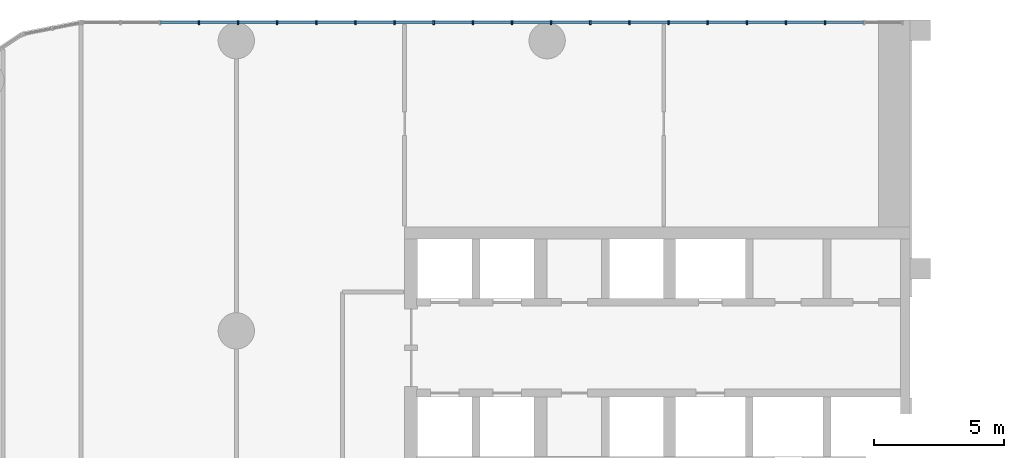
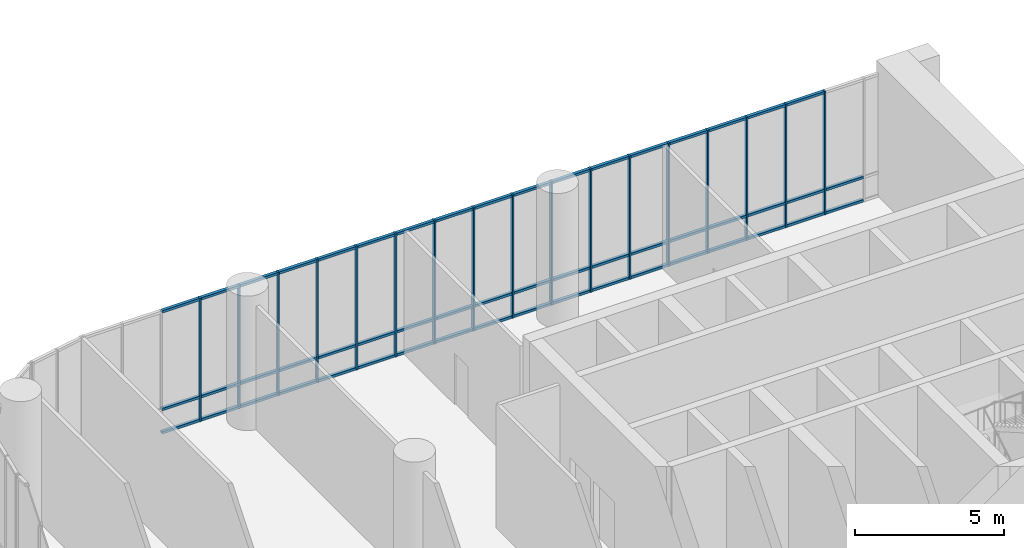
# One storey, part 8 of 28: 70 members, 1 element without a shape of its own.
"""IFC4 building model written with IfcOpenShell, lengths in metres."""

from ifc_helpers import new_model, si_unit, direction, frame, origin, origin_2d, place, context, subcontext, project, spatial, rectangle, extrude, material, layer, layer_set, material_profile, profile_set, type_object, element, aggregate, save


model = new_model("IFC4")

# Units and contexts
model_context = context("Model", 3, precision=1e-05, world=origin(), true_north=direction((0.0, 1.0)))
body_context = subcontext(model_context, "Body", "Model", "MODEL_VIEW")
ifc_project = project(units=[si_unit("LENGTHUNIT", "METRE"), si_unit("AREAUNIT", "SQUARE_METRE"), si_unit("VOLUMEUNIT", "CUBIC_METRE"), si_unit("PLANEANGLEUNIT", "RADIAN"), si_unit("MASSUNIT", "GRAM", prefix="KILO")], contexts=[model_context])

# Site, building, storey
site_placement = place(None, origin())
site = spatial("IfcSite", under=ifc_project, at=site_placement, CompositionType="ELEMENT")
building_placement = place(site_placement, origin())
building = spatial("IfcBuilding", under=site, at=building_placement, Name="Torana Hotel and Residences", CompositionType="ELEMENT")
storey_placement = place(building_placement, frame((0.0, 0.0, 7.0)))
storey = spatial("IfcBuildingStorey", under=building, at=storey_placement, Name="L01", CompositionType="ELEMENT", Elevation=7.0)

# Curtain wall, members
ifc_material_1 = material(Name="Dark anodised aluminium", Category="aluminium")
ifc_layer = layer(ifc_material_1, 0.14990234375)
ifc_layer_set = layer_set([ifc_layer], Name="CW5 PODIUM UPPER UNITISED CURTAIN WALL")
curtain_wall_type = type_object("IfcCurtainWallType", Name="CW5 PODIUM UPPER UNITISED CURTAIN WALL", PredefinedType="NOTDEFINED", material=ifc_layer_set)
curtain_wall_placement = place(storey_placement, origin())
curtain_wall = element("IfcCurtainWall", 1, at=curtain_wall_placement, inside=storey, type_object=curtain_wall_type, Name="Curtain wall CW5 L01 e0.2", PredefinedType="NOTDEFINED")
ifc_material_2 = material(Name="Dark anodised aluminium", Category="aluminium")
ifc_material_profile_1 = material_profile(ifc_material_2, rectangle(XDim=0.14990234375, YDim=0.06005859375, at=origin_2d()), Name="CW5 MULLION 60x150")
ifc_profile_set_1 = profile_set([ifc_material_profile_1], Name="Dark anodised aluminium")
member_type_1 = type_object("IfcMemberType", Name="CW5 MULLION 60x150", PredefinedType="MULLION", material=ifc_profile_set_1)
member_1_placement = place(storey_placement, frame((-13.271484375, 7.89990234375, 0.0), z_axis=(0.0, 0.0, 1.0), x_axis=(0.0, -1.0, 0.0)))
member_1 = element("IfcMember", 2, at=member_1_placement, type_object=member_type_1, Name="CW5 mullion 3", PredefinedType="MULLION", context=body_context, shape_type="SweptSolid", body=[
    extrude(rectangle(XDim=0.14990234375, YDim=0.06005859375, at=origin_2d()), origin(), (0.0, 0.0, 1.0), 5.050048828125),
])
member_2_placement = place(storey_placement, frame((-14.7822265625, 7.89990234375, 0.0), z_axis=(0.0, 0.0, 1.0), x_axis=(0.0, -1.0, 0.0)))
member_2 = element("IfcMember", 3, at=member_2_placement, type_object=member_type_1, Name="CW5 mullion 4", PredefinedType="MULLION", context=body_context, shape_type="SweptSolid", body=[
    extrude(rectangle(XDim=0.14990234375, YDim=0.06005859375, at=origin_2d()), origin(), (0.0, 0.0, 1.0), 5.050048828125),
])
member_3_placement = place(storey_placement, frame((-16.29296875, 7.89990234375, 0.0), z_axis=(0.0, 0.0, 1.0), x_axis=(0.0, -1.0, 0.0)))
member_3 = element("IfcMember", 4, at=member_3_placement, type_object=member_type_1, Name="CW5 mullion 5", PredefinedType="MULLION", context=body_context, shape_type="SweptSolid", body=[
    extrude(rectangle(XDim=0.14990234375, YDim=0.06005859375, at=origin_2d()), origin(), (0.0, 0.0, 1.0), 5.050048828125),
])
member_4_placement = place(storey_placement, frame((-17.8037109375, 7.89990234375, 0.0), z_axis=(0.0, 0.0, 1.0), x_axis=(0.0, -1.0, 0.0)))
member_4 = element("IfcMember", 5, at=member_4_placement, type_object=member_type_1, Name="CW5 mullion 6", PredefinedType="MULLION", context=body_context, shape_type="SweptSolid", body=[
    extrude(rectangle(XDim=0.14990234375, YDim=0.06005859375, at=origin_2d()), origin(), (0.0, 0.0, 1.0), 5.050048828125),
])
member_5_placement = place(storey_placement, frame((-19.314453125, 7.89990234375, 0.0), z_axis=(0.0, 0.0, 1.0), x_axis=(0.0, -1.0, 0.0)))
member_5 = element("IfcMember", 6, at=member_5_placement, type_object=member_type_1, Name="CW5 mullion 7", PredefinedType="MULLION", context=body_context, shape_type="SweptSolid", body=[
    extrude(rectangle(XDim=0.14990234375, YDim=0.06005859375, at=origin_2d()), origin(), (0.0, 0.0, 1.0), 5.050048828125),
])
member_6_placement = place(storey_placement, frame((-20.8251953125, 7.89990234375, 0.0), z_axis=(0.0, 0.0, 1.0), x_axis=(0.0, -1.0, 0.0)))
member_6 = element("IfcMember", 7, at=member_6_placement, type_object=member_type_1, Name="CW5 mullion 8", PredefinedType="MULLION", context=body_context, shape_type="SweptSolid", body=[
    extrude(rectangle(XDim=0.14990234375, YDim=0.06005859375, at=origin_2d()), origin(), (0.0, 0.0, 1.0), 5.050048828125),
])
member_7_placement = place(storey_placement, frame((-22.3359375, 7.89990234375, 0.0), z_axis=(0.0, 0.0, 1.0), x_axis=(0.0, -1.0, 0.0)))
member_7 = element("IfcMember", 8, at=member_7_placement, type_object=member_type_1, Name="CW5 mullion 9", PredefinedType="MULLION", context=body_context, shape_type="SweptSolid", body=[
    extrude(rectangle(XDim=0.14990234375, YDim=0.06005859375, at=origin_2d()), origin(), (0.0, 0.0, 1.0), 5.050048828125),
])
member_8_placement = place(storey_placement, frame((-23.8466796875, 7.89990234375, 0.0), z_axis=(0.0, 0.0, 1.0), x_axis=(0.0, -1.0, 0.0)))
member_8 = element("IfcMember", 9, at=member_8_placement, type_object=member_type_1, Name="CW5 mullion 10", PredefinedType="MULLION", context=body_context, shape_type="SweptSolid", body=[
    extrude(rectangle(XDim=0.14990234375, YDim=0.06005859375, at=origin_2d()), origin(), (0.0, 0.0, 1.0), 5.050048828125),
])
member_9_placement = place(storey_placement, frame((-25.357421875, 7.89990234375, 0.0), z_axis=(0.0, 0.0, 1.0), x_axis=(0.0, -1.0, 0.0)))
member_9 = element("IfcMember", 10, at=member_9_placement, type_object=member_type_1, Name="CW5 mullion 11", PredefinedType="MULLION", context=body_context, shape_type="SweptSolid", body=[
    extrude(rectangle(XDim=0.14990234375, YDim=0.06005859375, at=origin_2d()), origin(), (0.0, 0.0, 1.0), 5.050048828125),
])
member_10_placement = place(storey_placement, frame((-26.8681640625, 7.89990234375, 0.0), z_axis=(0.0, 0.0, 1.0), x_axis=(0.0, -1.0, 0.0)))
member_10 = element("IfcMember", 11, at=member_10_placement, type_object=member_type_1, Name="CW5 mullion 12", PredefinedType="MULLION", context=body_context, shape_type="SweptSolid", body=[
    extrude(rectangle(XDim=0.14990234375, YDim=0.06005859375, at=origin_2d()), origin(), (0.0, 0.0, 1.0), 5.050048828125),
])
member_11_placement = place(storey_placement, frame((-28.37890625, 7.89990234375, 0.0), z_axis=(0.0, 0.0, 1.0), x_axis=(0.0, -1.0, 0.0)))
member_11 = element("IfcMember", 12, at=member_11_placement, type_object=member_type_1, Name="CW5 mullion 13", PredefinedType="MULLION", context=body_context, shape_type="SweptSolid", body=[
    extrude(rectangle(XDim=0.14990234375, YDim=0.06005859375, at=origin_2d()), origin(), (0.0, 0.0, 1.0), 5.050048828125),
])
member_12_placement = place(storey_placement, frame((-29.8896484375, 7.89990234375, 0.0), z_axis=(0.0, 0.0, 1.0), x_axis=(0.0, -1.0, 0.0)))
member_12 = element("IfcMember", 13, at=member_12_placement, type_object=member_type_1, Name="CW5 mullion 14", PredefinedType="MULLION", context=body_context, shape_type="SweptSolid", body=[
    extrude(rectangle(XDim=0.14990234375, YDim=0.06005859375, at=origin_2d()), origin(), (0.0, 0.0, 1.0), 5.050048828125),
])
member_13_placement = place(storey_placement, frame((-31.400146484375, 7.89990234375, 0.0), z_axis=(0.0, 0.0, 1.0), x_axis=(0.0, -1.0, 0.0)))
member_13 = element("IfcMember", 14, at=member_13_placement, type_object=member_type_1, Name="CW5 mullion 15", PredefinedType="MULLION", context=body_context, shape_type="SweptSolid", body=[
    extrude(rectangle(XDim=0.14990234375, YDim=0.06005859375, at=origin_2d()), origin(), (0.0, 0.0, 1.0), 5.050048828125),
])
member_14_placement = place(storey_placement, frame((-32.910888671875, 7.89990234375, 0.0), z_axis=(0.0, 0.0, 1.0), x_axis=(0.0, -1.0, 0.0)))
member_14 = element("IfcMember", 15, at=member_14_placement, type_object=member_type_1, Name="CW5 mullion 16", PredefinedType="MULLION", context=body_context, shape_type="SweptSolid", body=[
    extrude(rectangle(XDim=0.14990234375, YDim=0.06005859375, at=origin_2d()), origin(), (0.0, 0.0, 1.0), 5.050048828125),
])
member_15_placement = place(storey_placement, frame((-34.421630859375, 7.89990234375, 0.0), z_axis=(0.0, 0.0, 1.0), x_axis=(0.0, -1.0, 0.0)))
member_15 = element("IfcMember", 16, at=member_15_placement, type_object=member_type_1, Name="CW5 mullion 17", PredefinedType="MULLION", context=body_context, shape_type="SweptSolid", body=[
    extrude(rectangle(XDim=0.14990234375, YDim=0.06005859375, at=origin_2d()), origin(), (0.0, 0.0, 1.0), 5.050048828125),
])
member_16_placement = place(storey_placement, frame((-35.932373046875, 7.89990234375, 0.0), z_axis=(0.0, 0.0, 1.0), x_axis=(0.0, -1.0, 0.0)))
member_16 = element("IfcMember", 17, at=member_16_placement, type_object=member_type_1, Name="CW5 mullion 18", PredefinedType="MULLION", context=body_context, shape_type="SweptSolid", body=[
    extrude(rectangle(XDim=0.14990234375, YDim=0.06005859375, at=origin_2d()), origin(), (0.0, 0.0, 1.0), 5.050048828125),
])
member_17_placement = place(storey_placement, frame((-37.443115234375, 7.89990234375, 0.0), z_axis=(0.0, 0.0, 1.0), x_axis=(0.0, -1.0, 0.0)))
member_17 = element("IfcMember", 18, at=member_17_placement, type_object=member_type_1, Name="CW5 mullion 19", PredefinedType="MULLION", context=body_context, shape_type="SweptSolid", body=[
    extrude(rectangle(XDim=0.14990234375, YDim=0.06005859375, at=origin_2d()), origin(), (0.0, 0.0, 1.0), 5.050048828125),
])
ifc_material_3 = material(Name="Dark anodised aluminium", Category="aluminium")
ifc_material_profile_2 = material_profile(ifc_material_3, rectangle(XDim=0.1201171875, YDim=0.10009765625, at=origin_2d()), Name="CW5 TRANSOM 120x100")
ifc_profile_set_2 = profile_set([ifc_material_profile_2], Name="Dark anodised aluminium")
member_type_2 = type_object("IfcMemberType", Name="CW5 TRANSOM 120x100", PredefinedType="USERDEFINED", material=ifc_profile_set_2)
member_18_placement = place(storey_placement, frame((-11.790771484375, 7.89990234375, 0.050048828125), z_axis=(-1.0, 0.0, 0.0), x_axis=(0.0, -1.0, 0.0)))
member_18 = element("IfcMember", 19, at=member_18_placement, type_object=member_type_2, Name="CW5 transom 2.1", ObjectType="TRANSOM", PredefinedType="USERDEFINED", context=body_context, shape_type="SweptSolid", body=[
    extrude(rectangle(XDim=0.1201171875, YDim=0.10009765625, at=origin_2d()), origin(), (0.0, 0.0, 1.0), 1.45068359375),
])
member_19_placement = place(storey_placement, frame((-11.790771484375, 7.89990234375, 1.0), z_axis=(-1.0, 0.0, 0.0), x_axis=(0.0, -1.0, 0.0)))
member_19 = element("IfcMember", 20, at=member_19_placement, type_object=member_type_2, Name="CW5 transom 2.2", ObjectType="TRANSOM", PredefinedType="USERDEFINED", context=body_context, shape_type="SweptSolid", body=[
    extrude(rectangle(XDim=0.1201171875, YDim=0.10009765625, at=origin_2d()), origin(), (0.0, 0.0, 1.0), 1.45068359375),
])
member_20_placement = place(storey_placement, frame((-13.301513671875, 7.89990234375, 0.050048828125), z_axis=(-1.0, 0.0, 0.0), x_axis=(0.0, -1.0, 0.0)))
member_20 = element("IfcMember", 21, at=member_20_placement, type_object=member_type_2, Name="CW5 transom 3.1", ObjectType="TRANSOM", PredefinedType="USERDEFINED", context=body_context, shape_type="SweptSolid", body=[
    extrude(rectangle(XDim=0.1201171875, YDim=0.10009765625, at=origin_2d()), origin(), (0.0, 0.0, 1.0), 1.45068359375),
])
member_21_placement = place(storey_placement, frame((-13.301513671875, 7.89990234375, 1.0), z_axis=(-1.0, 0.0, 0.0), x_axis=(0.0, -1.0, 0.0)))
member_21 = element("IfcMember", 22, at=member_21_placement, type_object=member_type_2, Name="CW5 transom 3.2", ObjectType="TRANSOM", PredefinedType="USERDEFINED", context=body_context, shape_type="SweptSolid", body=[
    extrude(rectangle(XDim=0.1201171875, YDim=0.10009765625, at=origin_2d()), origin(), (0.0, 0.0, 1.0), 1.45068359375),
])
member_22_placement = place(storey_placement, frame((-13.301513671875, 7.89990234375, 5.0), z_axis=(-1.0, 0.0, 0.0), x_axis=(0.0, -1.0, 0.0)))
member_22 = element("IfcMember", 23, at=member_22_placement, type_object=member_type_2, Name="CW5 transom 3.3", ObjectType="TRANSOM", PredefinedType="USERDEFINED", context=body_context, shape_type="SweptSolid", body=[
    extrude(rectangle(XDim=0.1201171875, YDim=0.10009765625, at=origin_2d()), origin(), (0.0, 0.0, 1.0), 1.45068359375),
])
member_23_placement = place(storey_placement, frame((-14.812255859375, 7.89990234375, 0.050048828125), z_axis=(-1.0, 0.0, 0.0), x_axis=(0.0, -1.0, 0.0)))
member_23 = element("IfcMember", 24, at=member_23_placement, type_object=member_type_2, Name="CW5 transom 4.1", ObjectType="TRANSOM", PredefinedType="USERDEFINED", context=body_context, shape_type="SweptSolid", body=[
    extrude(rectangle(XDim=0.1201171875, YDim=0.10009765625, at=origin_2d()), origin(), (0.0, 0.0, 1.0), 1.45068359375),
])
member_24_placement = place(storey_placement, frame((-14.812255859375, 7.89990234375, 1.0), z_axis=(-1.0, 0.0, 0.0), x_axis=(0.0, -1.0, 0.0)))
member_24 = element("IfcMember", 25, at=member_24_placement, type_object=member_type_2, Name="CW5 transom 4.2", ObjectType="TRANSOM", PredefinedType="USERDEFINED", context=body_context, shape_type="SweptSolid", body=[
    extrude(rectangle(XDim=0.1201171875, YDim=0.10009765625, at=origin_2d()), origin(), (0.0, 0.0, 1.0), 1.45068359375),
])
member_25_placement = place(storey_placement, frame((-14.812255859375, 7.89990234375, 5.0), z_axis=(-1.0, 0.0, 0.0), x_axis=(0.0, -1.0, 0.0)))
member_25 = element("IfcMember", 26, at=member_25_placement, type_object=member_type_2, Name="CW5 transom 4.3", ObjectType="TRANSOM", PredefinedType="USERDEFINED", context=body_context, shape_type="SweptSolid", body=[
    extrude(rectangle(XDim=0.1201171875, YDim=0.10009765625, at=origin_2d()), origin(), (0.0, 0.0, 1.0), 1.45068359375),
])
member_26_placement = place(storey_placement, frame((-16.322998046875, 7.89990234375, 0.050048828125), z_axis=(-1.0, 0.0, 0.0), x_axis=(0.0, -1.0, 0.0)))
member_26 = element("IfcMember", 27, at=member_26_placement, type_object=member_type_2, Name="CW5 transom 5.1", ObjectType="TRANSOM", PredefinedType="USERDEFINED", context=body_context, shape_type="SweptSolid", body=[
    extrude(rectangle(XDim=0.1201171875, YDim=0.10009765625, at=origin_2d()), origin(), (0.0, 0.0, 1.0), 1.45068359375),
])
member_27_placement = place(storey_placement, frame((-16.322998046875, 7.89990234375, 1.0), z_axis=(-1.0, 0.0, 0.0), x_axis=(0.0, -1.0, 0.0)))
member_27 = element("IfcMember", 28, at=member_27_placement, type_object=member_type_2, Name="CW5 transom 5.2", ObjectType="TRANSOM", PredefinedType="USERDEFINED", context=body_context, shape_type="SweptSolid", body=[
    extrude(rectangle(XDim=0.1201171875, YDim=0.10009765625, at=origin_2d()), origin(), (0.0, 0.0, 1.0), 1.45068359375),
])
member_28_placement = place(storey_placement, frame((-16.322998046875, 7.89990234375, 5.0), z_axis=(-1.0, 0.0, 0.0), x_axis=(0.0, -1.0, 0.0)))
member_28 = element("IfcMember", 29, at=member_28_placement, type_object=member_type_2, Name="CW5 transom 5.3", ObjectType="TRANSOM", PredefinedType="USERDEFINED", context=body_context, shape_type="SweptSolid", body=[
    extrude(rectangle(XDim=0.1201171875, YDim=0.10009765625, at=origin_2d()), origin(), (0.0, 0.0, 1.0), 1.45068359375),
])
member_29_placement = place(storey_placement, frame((-17.833740234375, 7.89990234375, 0.050048828125), z_axis=(-1.0, 0.0, 0.0), x_axis=(0.0, -1.0, 0.0)))
member_29 = element("IfcMember", 30, at=member_29_placement, type_object=member_type_2, Name="CW5 transom 6.1", ObjectType="TRANSOM", PredefinedType="USERDEFINED", context=body_context, shape_type="SweptSolid", body=[
    extrude(rectangle(XDim=0.1201171875, YDim=0.10009765625, at=origin_2d()), origin(), (0.0, 0.0, 1.0), 1.45068359375),
])
member_30_placement = place(storey_placement, frame((-17.833740234375, 7.89990234375, 1.0), z_axis=(-1.0, 0.0, 0.0), x_axis=(0.0, -1.0, 0.0)))
member_30 = element("IfcMember", 31, at=member_30_placement, type_object=member_type_2, Name="CW5 transom 6.2", ObjectType="TRANSOM", PredefinedType="USERDEFINED", context=body_context, shape_type="SweptSolid", body=[
    extrude(rectangle(XDim=0.1201171875, YDim=0.10009765625, at=origin_2d()), origin(), (0.0, 0.0, 1.0), 1.45068359375),
])
member_31_placement = place(storey_placement, frame((-17.833740234375, 7.89990234375, 5.0), z_axis=(-1.0, 0.0, 0.0), x_axis=(0.0, -1.0, 0.0)))
member_31 = element("IfcMember", 32, at=member_31_placement, type_object=member_type_2, Name="CW5 transom 6.3", ObjectType="TRANSOM", PredefinedType="USERDEFINED", context=body_context, shape_type="SweptSolid", body=[
    extrude(rectangle(XDim=0.1201171875, YDim=0.10009765625, at=origin_2d()), origin(), (0.0, 0.0, 1.0), 1.45068359375),
])
member_32_placement = place(storey_placement, frame((-19.344482421875, 7.89990234375, 0.050048828125), z_axis=(-1.0, 0.0, 0.0), x_axis=(0.0, -1.0, 0.0)))
member_32 = element("IfcMember", 33, at=member_32_placement, type_object=member_type_2, Name="CW5 transom 7.1", ObjectType="TRANSOM", PredefinedType="USERDEFINED", context=body_context, shape_type="SweptSolid", body=[
    extrude(rectangle(XDim=0.1201171875, YDim=0.10009765625, at=origin_2d()), origin(), (0.0, 0.0, 1.0), 1.45068359375),
])
member_33_placement = place(storey_placement, frame((-19.344482421875, 7.89990234375, 1.0), z_axis=(-1.0, 0.0, 0.0), x_axis=(0.0, -1.0, 0.0)))
member_33 = element("IfcMember", 34, at=member_33_placement, type_object=member_type_2, Name="CW5 transom 7.2", ObjectType="TRANSOM", PredefinedType="USERDEFINED", context=body_context, shape_type="SweptSolid", body=[
    extrude(rectangle(XDim=0.1201171875, YDim=0.10009765625, at=origin_2d()), origin(), (0.0, 0.0, 1.0), 1.45068359375),
])
member_34_placement = place(storey_placement, frame((-19.344482421875, 7.89990234375, 5.0), z_axis=(-1.0, 0.0, 0.0), x_axis=(0.0, -1.0, 0.0)))
member_34 = element("IfcMember", 35, at=member_34_placement, type_object=member_type_2, Name="CW5 transom 7.3", ObjectType="TRANSOM", PredefinedType="USERDEFINED", context=body_context, shape_type="SweptSolid", body=[
    extrude(rectangle(XDim=0.1201171875, YDim=0.10009765625, at=origin_2d()), origin(), (0.0, 0.0, 1.0), 1.45068359375),
])
member_35_placement = place(storey_placement, frame((-20.855224609375, 7.89990234375, 0.050048828125), z_axis=(-1.0, 0.0, 0.0), x_axis=(0.0, -1.0, 0.0)))
member_35 = element("IfcMember", 36, at=member_35_placement, type_object=member_type_2, Name="CW5 transom 8.1", ObjectType="TRANSOM", PredefinedType="USERDEFINED", context=body_context, shape_type="SweptSolid", body=[
    extrude(rectangle(XDim=0.1201171875, YDim=0.10009765625, at=origin_2d()), origin(), (0.0, 0.0, 1.0), 1.45068359375),
])
member_36_placement = place(storey_placement, frame((-20.855224609375, 7.89990234375, 1.0), z_axis=(-1.0, 0.0, 0.0), x_axis=(0.0, -1.0, 0.0)))
member_36 = element("IfcMember", 37, at=member_36_placement, type_object=member_type_2, Name="CW5 transom 8.2", ObjectType="TRANSOM", PredefinedType="USERDEFINED", context=body_context, shape_type="SweptSolid", body=[
    extrude(rectangle(XDim=0.1201171875, YDim=0.10009765625, at=origin_2d()), origin(), (0.0, 0.0, 1.0), 1.45068359375),
])
member_37_placement = place(storey_placement, frame((-20.855224609375, 7.89990234375, 5.0), z_axis=(-1.0, 0.0, 0.0), x_axis=(0.0, -1.0, 0.0)))
member_37 = element("IfcMember", 38, at=member_37_placement, type_object=member_type_2, Name="CW5 transom 8.3", ObjectType="TRANSOM", PredefinedType="USERDEFINED", context=body_context, shape_type="SweptSolid", body=[
    extrude(rectangle(XDim=0.1201171875, YDim=0.10009765625, at=origin_2d()), origin(), (0.0, 0.0, 1.0), 1.45068359375),
])
member_38_placement = place(storey_placement, frame((-22.365966796875, 7.89990234375, 0.050048828125), z_axis=(-1.0, 0.0, 0.0), x_axis=(0.0, -1.0, 0.0)))
member_38 = element("IfcMember", 39, at=member_38_placement, type_object=member_type_2, Name="CW5 transom 9.1", ObjectType="TRANSOM", PredefinedType="USERDEFINED", context=body_context, shape_type="SweptSolid", body=[
    extrude(rectangle(XDim=0.1201171875, YDim=0.10009765625, at=origin_2d()), origin(), (0.0, 0.0, 1.0), 1.45068359375),
])
member_39_placement = place(storey_placement, frame((-22.365966796875, 7.89990234375, 1.0), z_axis=(-1.0, 0.0, 0.0), x_axis=(0.0, -1.0, 0.0)))
member_39 = element("IfcMember", 40, at=member_39_placement, type_object=member_type_2, Name="CW5 transom 9.2", ObjectType="TRANSOM", PredefinedType="USERDEFINED", context=body_context, shape_type="SweptSolid", body=[
    extrude(rectangle(XDim=0.1201171875, YDim=0.10009765625, at=origin_2d()), origin(), (0.0, 0.0, 1.0), 1.45068359375),
])
member_40_placement = place(storey_placement, frame((-22.365966796875, 7.89990234375, 5.0), z_axis=(-1.0, 0.0, 0.0), x_axis=(0.0, -1.0, 0.0)))
member_40 = element("IfcMember", 41, at=member_40_placement, type_object=member_type_2, Name="CW5 transom 9.3", ObjectType="TRANSOM", PredefinedType="USERDEFINED", context=body_context, shape_type="SweptSolid", body=[
    extrude(rectangle(XDim=0.1201171875, YDim=0.10009765625, at=origin_2d()), origin(), (0.0, 0.0, 1.0), 1.45068359375),
])
member_41_placement = place(storey_placement, frame((-23.876708984375, 7.89990234375, 0.050048828125), z_axis=(-1.0, 0.0, 0.0), x_axis=(0.0, -1.0, 0.0)))
member_41 = element("IfcMember", 42, at=member_41_placement, type_object=member_type_2, Name="CW5 transom 10.1", ObjectType="TRANSOM", PredefinedType="USERDEFINED", context=body_context, shape_type="SweptSolid", body=[
    extrude(rectangle(XDim=0.1201171875, YDim=0.10009765625, at=origin_2d()), origin(), (0.0, 0.0, 1.0), 1.45068359375),
])
member_42_placement = place(storey_placement, frame((-23.876708984375, 7.89990234375, 1.0), z_axis=(-1.0, 0.0, 0.0), x_axis=(0.0, -1.0, 0.0)))
member_42 = element("IfcMember", 43, at=member_42_placement, type_object=member_type_2, Name="CW5 transom 10.2", ObjectType="TRANSOM", PredefinedType="USERDEFINED", context=body_context, shape_type="SweptSolid", body=[
    extrude(rectangle(XDim=0.1201171875, YDim=0.10009765625, at=origin_2d()), origin(), (0.0, 0.0, 1.0), 1.45068359375),
])
member_43_placement = place(storey_placement, frame((-23.876708984375, 7.89990234375, 5.0), z_axis=(-1.0, 0.0, 0.0), x_axis=(0.0, -1.0, 0.0)))
member_43 = element("IfcMember", 44, at=member_43_placement, type_object=member_type_2, Name="CW5 transom 10.3", ObjectType="TRANSOM", PredefinedType="USERDEFINED", context=body_context, shape_type="SweptSolid", body=[
    extrude(rectangle(XDim=0.1201171875, YDim=0.10009765625, at=origin_2d()), origin(), (0.0, 0.0, 1.0), 1.45068359375),
])
member_44_placement = place(storey_placement, frame((-25.387451171875, 7.89990234375, 0.050048828125), z_axis=(-1.0, 0.0, 0.0), x_axis=(0.0, -1.0, 0.0)))
member_44 = element("IfcMember", 45, at=member_44_placement, type_object=member_type_2, Name="CW5 transom 11.1", ObjectType="TRANSOM", PredefinedType="USERDEFINED", context=body_context, shape_type="SweptSolid", body=[
    extrude(rectangle(XDim=0.1201171875, YDim=0.10009765625, at=origin_2d()), origin(), (0.0, 0.0, 1.0), 1.45068359375),
])
member_45_placement = place(storey_placement, frame((-25.387451171875, 7.89990234375, 1.0), z_axis=(-1.0, 0.0, 0.0), x_axis=(0.0, -1.0, 0.0)))
member_45 = element("IfcMember", 46, at=member_45_placement, type_object=member_type_2, Name="CW5 transom 11.2", ObjectType="TRANSOM", PredefinedType="USERDEFINED", context=body_context, shape_type="SweptSolid", body=[
    extrude(rectangle(XDim=0.1201171875, YDim=0.10009765625, at=origin_2d()), origin(), (0.0, 0.0, 1.0), 1.45068359375),
])
member_46_placement = place(storey_placement, frame((-25.387451171875, 7.89990234375, 5.0), z_axis=(-1.0, 0.0, 0.0), x_axis=(0.0, -1.0, 0.0)))
member_46 = element("IfcMember", 47, at=member_46_placement, type_object=member_type_2, Name="CW5 transom 11.3", ObjectType="TRANSOM", PredefinedType="USERDEFINED", context=body_context, shape_type="SweptSolid", body=[
    extrude(rectangle(XDim=0.1201171875, YDim=0.10009765625, at=origin_2d()), origin(), (0.0, 0.0, 1.0), 1.45068359375),
])
member_47_placement = place(storey_placement, frame((-26.89794921875, 7.89990234375, 0.050048828125), z_axis=(-1.0, 0.0, 0.0), x_axis=(0.0, -1.0, 0.0)))
member_47 = element("IfcMember", 48, at=member_47_placement, type_object=member_type_2, Name="CW5 transom 12.1", ObjectType="TRANSOM", PredefinedType="USERDEFINED", context=body_context, shape_type="SweptSolid", body=[
    extrude(rectangle(XDim=0.1201171875, YDim=0.10009765625, at=origin_2d()), origin(), (0.0, 0.0, 1.0), 1.450927734375),
])
member_48_placement = place(storey_placement, frame((-26.89794921875, 7.89990234375, 1.0), z_axis=(-1.0, 0.0, 0.0), x_axis=(0.0, -1.0, 0.0)))
member_48 = element("IfcMember", 49, at=member_48_placement, type_object=member_type_2, Name="CW5 transom 12.2", ObjectType="TRANSOM", PredefinedType="USERDEFINED", context=body_context, shape_type="SweptSolid", body=[
    extrude(rectangle(XDim=0.1201171875, YDim=0.10009765625, at=origin_2d()), origin(), (0.0, 0.0, 1.0), 1.450927734375),
])
member_49_placement = place(storey_placement, frame((-26.89794921875, 7.89990234375, 5.0), z_axis=(-1.0, 0.0, 0.0), x_axis=(0.0, -1.0, 0.0)))
member_49 = element("IfcMember", 50, at=member_49_placement, type_object=member_type_2, Name="CW5 transom 12.3", ObjectType="TRANSOM", PredefinedType="USERDEFINED", context=body_context, shape_type="SweptSolid", body=[
    extrude(rectangle(XDim=0.1201171875, YDim=0.10009765625, at=origin_2d()), origin(), (0.0, 0.0, 1.0), 1.450927734375),
])
member_50_placement = place(storey_placement, frame((-28.40869140625, 7.89990234375, 0.050048828125), z_axis=(-1.0, 0.0, 0.0), x_axis=(0.0, -1.0, 0.0)))
member_50 = element("IfcMember", 51, at=member_50_placement, type_object=member_type_2, Name="CW5 transom 13.1", ObjectType="TRANSOM", PredefinedType="USERDEFINED", context=body_context, shape_type="SweptSolid", body=[
    extrude(rectangle(XDim=0.1201171875, YDim=0.10009765625, at=origin_2d()), origin(), (0.0, 0.0, 1.0), 1.450927734375),
])
member_51_placement = place(storey_placement, frame((-28.40869140625, 7.89990234375, 1.0), z_axis=(-1.0, 0.0, 0.0), x_axis=(0.0, -1.0, 0.0)))
member_51 = element("IfcMember", 52, at=member_51_placement, type_object=member_type_2, Name="CW5 transom 13.2", ObjectType="TRANSOM", PredefinedType="USERDEFINED", context=body_context, shape_type="SweptSolid", body=[
    extrude(rectangle(XDim=0.1201171875, YDim=0.10009765625, at=origin_2d()), origin(), (0.0, 0.0, 1.0), 1.450927734375),
])
member_52_placement = place(storey_placement, frame((-28.40869140625, 7.89990234375, 5.0), z_axis=(-1.0, 0.0, 0.0), x_axis=(0.0, -1.0, 0.0)))
member_52 = element("IfcMember", 53, at=member_52_placement, type_object=member_type_2, Name="CW5 transom 13.3", ObjectType="TRANSOM", PredefinedType="USERDEFINED", context=body_context, shape_type="SweptSolid", body=[
    extrude(rectangle(XDim=0.1201171875, YDim=0.10009765625, at=origin_2d()), origin(), (0.0, 0.0, 1.0), 1.450927734375),
])
member_53_placement = place(storey_placement, frame((-29.91943359375, 7.89990234375, 0.050048828125), z_axis=(-1.0, 0.0, 0.0), x_axis=(0.0, -1.0, 0.0)))
member_53 = element("IfcMember", 54, at=member_53_placement, type_object=member_type_2, Name="CW5 transom 14.1", ObjectType="TRANSOM", PredefinedType="USERDEFINED", context=body_context, shape_type="SweptSolid", body=[
    extrude(rectangle(XDim=0.1201171875, YDim=0.10009765625, at=origin_2d()), origin(), (0.0, 0.0, 1.0), 1.450927734375),
])
member_54_placement = place(storey_placement, frame((-29.91943359375, 7.89990234375, 1.0), z_axis=(-1.0, 0.0, 0.0), x_axis=(0.0, -1.0, 0.0)))
member_54 = element("IfcMember", 55, at=member_54_placement, type_object=member_type_2, Name="CW5 transom 14.2", ObjectType="TRANSOM", PredefinedType="USERDEFINED", context=body_context, shape_type="SweptSolid", body=[
    extrude(rectangle(XDim=0.1201171875, YDim=0.10009765625, at=origin_2d()), origin(), (0.0, 0.0, 1.0), 1.450927734375),
])
member_55_placement = place(storey_placement, frame((-29.91943359375, 7.89990234375, 5.0), z_axis=(-1.0, 0.0, 0.0), x_axis=(0.0, -1.0, 0.0)))
member_55 = element("IfcMember", 56, at=member_55_placement, type_object=member_type_2, Name="CW5 transom 14.3", ObjectType="TRANSOM", PredefinedType="USERDEFINED", context=body_context, shape_type="SweptSolid", body=[
    extrude(rectangle(XDim=0.1201171875, YDim=0.10009765625, at=origin_2d()), origin(), (0.0, 0.0, 1.0), 1.450927734375),
])
member_56_placement = place(storey_placement, frame((-31.43017578125, 7.89990234375, 0.050048828125), z_axis=(-1.0, 0.0, 0.0), x_axis=(0.0, -1.0, 0.0)))
member_56 = element("IfcMember", 57, at=member_56_placement, type_object=member_type_2, Name="CW5 transom 15.1", ObjectType="TRANSOM", PredefinedType="USERDEFINED", context=body_context, shape_type="SweptSolid", body=[
    extrude(rectangle(XDim=0.1201171875, YDim=0.10009765625, at=origin_2d()), origin(), (0.0, 0.0, 1.0), 1.450927734375),
])
member_57_placement = place(storey_placement, frame((-31.43017578125, 7.89990234375, 1.0), z_axis=(-1.0, 0.0, 0.0), x_axis=(0.0, -1.0, 0.0)))
member_57 = element("IfcMember", 58, at=member_57_placement, type_object=member_type_2, Name="CW5 transom 15.2", ObjectType="TRANSOM", PredefinedType="USERDEFINED", context=body_context, shape_type="SweptSolid", body=[
    extrude(rectangle(XDim=0.1201171875, YDim=0.10009765625, at=origin_2d()), origin(), (0.0, 0.0, 1.0), 1.450927734375),
])
member_58_placement = place(storey_placement, frame((-31.43017578125, 7.89990234375, 5.0), z_axis=(-1.0, 0.0, 0.0), x_axis=(0.0, -1.0, 0.0)))
member_58 = element("IfcMember", 59, at=member_58_placement, type_object=member_type_2, Name="CW5 transom 15.3", ObjectType="TRANSOM", PredefinedType="USERDEFINED", context=body_context, shape_type="SweptSolid", body=[
    extrude(rectangle(XDim=0.1201171875, YDim=0.10009765625, at=origin_2d()), origin(), (0.0, 0.0, 1.0), 1.450927734375),
])
member_59_placement = place(storey_placement, frame((-32.94091796875, 7.89990234375, 0.050048828125), z_axis=(-1.0, 0.0, 0.0), x_axis=(0.0, -1.0, 0.0)))
member_59 = element("IfcMember", 60, at=member_59_placement, type_object=member_type_2, Name="CW5 transom 16.1", ObjectType="TRANSOM", PredefinedType="USERDEFINED", context=body_context, shape_type="SweptSolid", body=[
    extrude(rectangle(XDim=0.1201171875, YDim=0.10009765625, at=origin_2d()), origin(), (0.0, 0.0, 1.0), 1.450927734375),
])
member_60_placement = place(storey_placement, frame((-32.94091796875, 7.89990234375, 1.0), z_axis=(-1.0, 0.0, 0.0), x_axis=(0.0, -1.0, 0.0)))
member_60 = element("IfcMember", 61, at=member_60_placement, type_object=member_type_2, Name="CW5 transom 16.2", ObjectType="TRANSOM", PredefinedType="USERDEFINED", context=body_context, shape_type="SweptSolid", body=[
    extrude(rectangle(XDim=0.1201171875, YDim=0.10009765625, at=origin_2d()), origin(), (0.0, 0.0, 1.0), 1.450927734375),
])
member_61_placement = place(storey_placement, frame((-32.94091796875, 7.89990234375, 5.0), z_axis=(-1.0, 0.0, 0.0), x_axis=(0.0, -1.0, 0.0)))
member_61 = element("IfcMember", 62, at=member_61_placement, type_object=member_type_2, Name="CW5 transom 16.3", ObjectType="TRANSOM", PredefinedType="USERDEFINED", context=body_context, shape_type="SweptSolid", body=[
    extrude(rectangle(XDim=0.1201171875, YDim=0.10009765625, at=origin_2d()), origin(), (0.0, 0.0, 1.0), 1.450927734375),
])
member_62_placement = place(storey_placement, frame((-34.45166015625, 7.89990234375, 0.050048828125), z_axis=(-1.0, 0.0, 0.0), x_axis=(0.0, -1.0, 0.0)))
member_62 = element("IfcMember", 63, at=member_62_placement, type_object=member_type_2, Name="CW5 transom 17.1", ObjectType="TRANSOM", PredefinedType="USERDEFINED", context=body_context, shape_type="SweptSolid", body=[
    extrude(rectangle(XDim=0.1201171875, YDim=0.10009765625, at=origin_2d()), origin(), (0.0, 0.0, 1.0), 1.450927734375),
])
member_63_placement = place(storey_placement, frame((-34.45166015625, 7.89990234375, 1.0), z_axis=(-1.0, 0.0, 0.0), x_axis=(0.0, -1.0, 0.0)))
member_63 = element("IfcMember", 64, at=member_63_placement, type_object=member_type_2, Name="CW5 transom 17.2", ObjectType="TRANSOM", PredefinedType="USERDEFINED", context=body_context, shape_type="SweptSolid", body=[
    extrude(rectangle(XDim=0.1201171875, YDim=0.10009765625, at=origin_2d()), origin(), (0.0, 0.0, 1.0), 1.450927734375),
])
member_64_placement = place(storey_placement, frame((-34.45166015625, 7.89990234375, 5.0), z_axis=(-1.0, 0.0, 0.0), x_axis=(0.0, -1.0, 0.0)))
member_64 = element("IfcMember", 65, at=member_64_placement, type_object=member_type_2, Name="CW5 transom 17.3", ObjectType="TRANSOM", PredefinedType="USERDEFINED", context=body_context, shape_type="SweptSolid", body=[
    extrude(rectangle(XDim=0.1201171875, YDim=0.10009765625, at=origin_2d()), origin(), (0.0, 0.0, 1.0), 1.450927734375),
])
member_65_placement = place(storey_placement, frame((-35.96240234375, 7.89990234375, 0.050048828125), z_axis=(-1.0, 0.0, 0.0), x_axis=(0.0, -1.0, 0.0)))
member_65 = element("IfcMember", 66, at=member_65_placement, type_object=member_type_2, Name="CW5 transom 18.1", ObjectType="TRANSOM", PredefinedType="USERDEFINED", context=body_context, shape_type="SweptSolid", body=[
    extrude(rectangle(XDim=0.1201171875, YDim=0.10009765625, at=origin_2d()), origin(), (0.0, 0.0, 1.0), 1.45068359375),
])
member_66_placement = place(storey_placement, frame((-35.96240234375, 7.89990234375, 1.0), z_axis=(-1.0, 0.0, 0.0), x_axis=(0.0, -1.0, 0.0)))
member_66 = element("IfcMember", 67, at=member_66_placement, type_object=member_type_2, Name="CW5 transom 18.2", ObjectType="TRANSOM", PredefinedType="USERDEFINED", context=body_context, shape_type="SweptSolid", body=[
    extrude(rectangle(XDim=0.1201171875, YDim=0.10009765625, at=origin_2d()), origin(), (0.0, 0.0, 1.0), 1.45068359375),
])
member_67_placement = place(storey_placement, frame((-35.96240234375, 7.89990234375, 5.0), z_axis=(-1.0, 0.0, 0.0), x_axis=(0.0, -1.0, 0.0)))
member_67 = element("IfcMember", 68, at=member_67_placement, type_object=member_type_2, Name="CW5 transom 18.3", ObjectType="TRANSOM", PredefinedType="USERDEFINED", context=body_context, shape_type="SweptSolid", body=[
    extrude(rectangle(XDim=0.1201171875, YDim=0.10009765625, at=origin_2d()), origin(), (0.0, 0.0, 1.0), 1.45068359375),
])
member_68_placement = place(storey_placement, frame((-37.47314453125, 7.89990234375, 0.050048828125), z_axis=(-1.0, 0.0, 0.0), x_axis=(0.0, -1.0, 0.0)))
member_68 = element("IfcMember", 69, at=member_68_placement, type_object=member_type_2, Name="CW5 transom 19.1", ObjectType="TRANSOM", PredefinedType="USERDEFINED", context=body_context, shape_type="SweptSolid", body=[
    extrude(rectangle(XDim=0.1201171875, YDim=0.10009765625, at=origin_2d()), origin(), (0.0, 0.0, 1.0), 1.45068359375),
])
member_69_placement = place(storey_placement, frame((-37.47314453125, 7.89990234375, 1.0), z_axis=(-1.0, 0.0, 0.0), x_axis=(0.0, -1.0, 0.0)))
member_69 = element("IfcMember", 70, at=member_69_placement, type_object=member_type_2, Name="CW5 transom 19.2", ObjectType="TRANSOM", PredefinedType="USERDEFINED", context=body_context, shape_type="SweptSolid", body=[
    extrude(rectangle(XDim=0.1201171875, YDim=0.10009765625, at=origin_2d()), origin(), (0.0, 0.0, 1.0), 1.45068359375),
])
member_70_placement = place(storey_placement, frame((-37.47314453125, 7.89990234375, 5.0), z_axis=(-1.0, 0.0, 0.0), x_axis=(0.0, -1.0, 0.0)))
member_70 = element("IfcMember", 71, at=member_70_placement, type_object=member_type_2, Name="CW5 transom 19.3", ObjectType="TRANSOM", PredefinedType="USERDEFINED", context=body_context, shape_type="SweptSolid", body=[
    extrude(rectangle(XDim=0.1201171875, YDim=0.10009765625, at=origin_2d()), origin(), (0.0, 0.0, 1.0), 1.45068359375),
])
aggregate(curtain_wall, [member_1, member_2, member_3, member_4, member_5, member_6, member_7, member_8, member_9, member_10, member_11, member_12, member_13, member_14, member_15, member_16, member_17, member_18, member_19, member_20, member_21, member_22, member_23, member_24, member_25, member_26, member_27, member_28, member_29, member_30, member_31, member_32, member_33, member_34, member_35, member_36, member_37, member_38, member_39, member_40, member_41, member_42, member_43, member_44, member_45, member_46, member_47, member_48, member_49, member_50, member_51, member_52, member_53, member_54, member_55, member_56, member_57, member_58, member_59, member_60, member_61, member_62, member_63, member_64, member_65, member_66, member_67, member_68, member_69, member_70])

save(model, "model.ifc")
